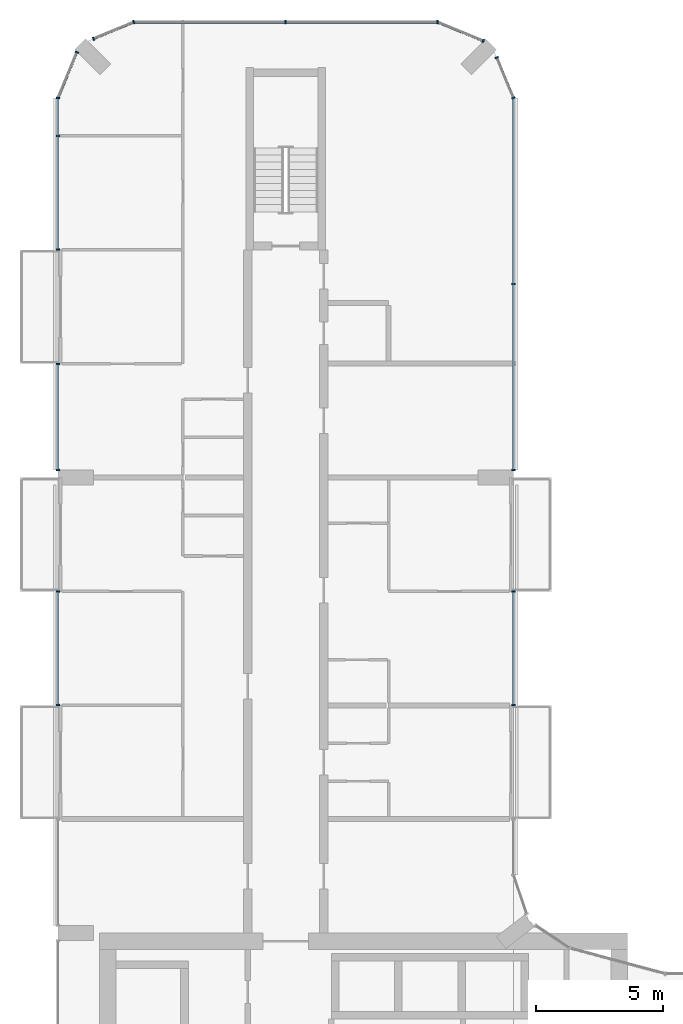
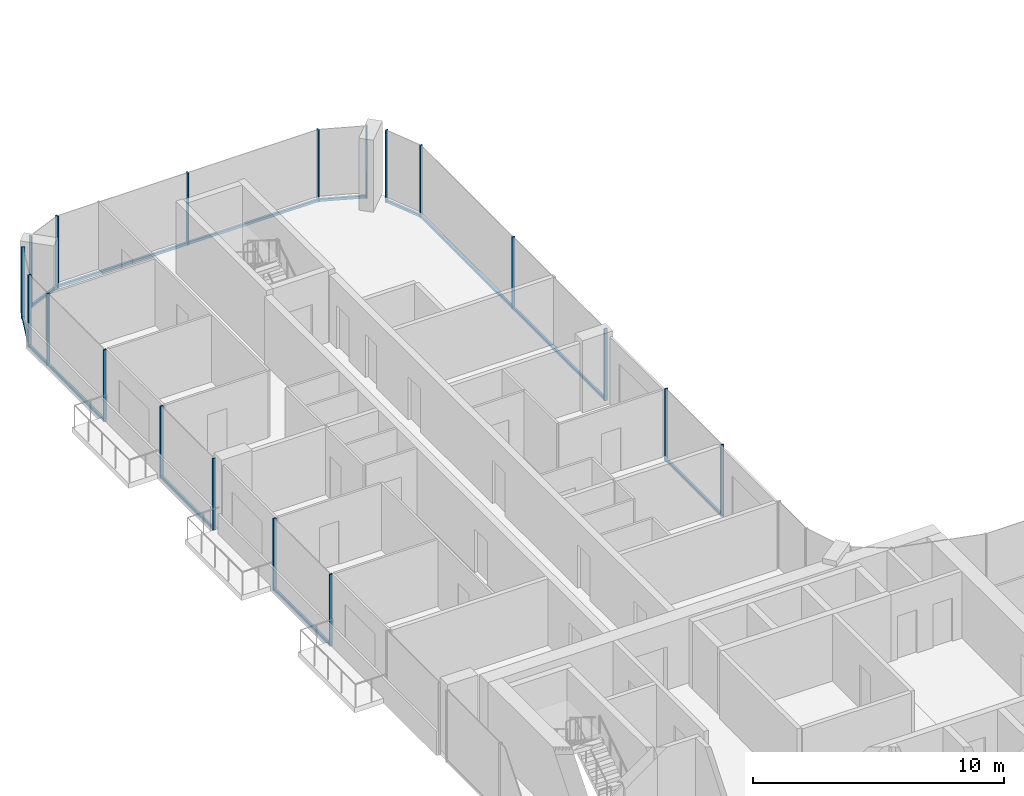
# One storey, part 6 of 22: 29 members, 10 elements without a shape of their own.
"""IFC4 building model written with IfcOpenShell, lengths in metres."""

from ifc_helpers import new_model, si_unit, direction, frame, origin, origin_2d, place, context, subcontext, project, spatial, rectangle, extrude, material, layer, layer_set, material_profile, profile_set, type_object, element, aggregate, save


model = new_model("IFC4")

# Units and contexts
model_context = context("Model", 3, precision=1e-05, world=origin(), true_north=direction((0.0, 1.0)))
body_context = subcontext(model_context, "Body", "Model", "MODEL_VIEW")
ifc_project = project(units=[si_unit("LENGTHUNIT", "METRE"), si_unit("AREAUNIT", "SQUARE_METRE"), si_unit("VOLUMEUNIT", "CUBIC_METRE"), si_unit("PLANEANGLEUNIT", "RADIAN"), si_unit("MASSUNIT", "GRAM", prefix="KILO")], contexts=[model_context])

# Site, building, storey
site_placement = place(None, origin())
site = spatial("IfcSite", under=ifc_project, at=site_placement, CompositionType="ELEMENT")
building_placement = place(site_placement, origin())
building = spatial("IfcBuilding", under=site, at=building_placement, Name="Plateau Cross Towers", CompositionType="ELEMENT")
storey_placement = place(building_placement, frame((0.0, 0.0, 116.800048828125)))
storey = spatial("IfcBuildingStorey", under=building, at=storey_placement, Name="L30", CompositionType="ELEMENT", Elevation=116.800048828125)

# Curtain wall, members
ifc_material_1 = material(Name="Dark low-iron glass", Category="glass")
ifc_layer = layer(ifc_material_1, 0.239990234375)
ifc_layer_set = layer_set([ifc_layer], Name="Dark low-iron glass")
curtain_wall_type = type_object("IfcCurtainWallType", Name="Curtain wall flush unitised CW-B", PredefinedType="NOTDEFINED", material=ifc_layer_set)
curtain_wall_1_placement = place(storey_placement, origin())
curtain_wall_1 = element("IfcCurtainWall", 1, at=curtain_wall_1_placement, inside=storey, type_object=curtain_wall_type, Name="ENV/A/L30/A180_270", PredefinedType="NOTDEFINED")
ifc_material_2 = material(Name="Black anodised aluminium", Category="aluminium")
ifc_material_profile_1 = material_profile(ifc_material_2, rectangle(XDim=0.06005859375, YDim=0.139892578125, at=origin_2d()), Name="MULLION 60x140")
ifc_profile_set_1 = profile_set([ifc_material_profile_1], Name="Black anodised aluminium")
member_type_1 = type_object("IfcMemberType", Name="Mullion 60x140 flush unitised", PredefinedType="MULLION", material=ifc_profile_set_1)
member_1_placement = place(storey_placement, frame((18.0, 27.010009765625, -0.25), z_axis=(0.0, 0.0, 1.0), x_axis=(0.0, 1.0, 0.0)))
member_1 = element("IfcMember", 2, at=member_1_placement, type_object=member_type_1, Name="CW-B mullion 1", PredefinedType="MULLION", context=body_context, shape_type="SweptSolid", body=[
    extrude(rectangle(XDim=0.06005859375, YDim=0.139892578125, at=origin_2d()), origin(), (0.0, 0.0, 1.0), 3.5),
])
member_2_placement = place(storey_placement, frame((18.0, 31.489990234375, -0.25), z_axis=(0.0, 0.0, 1.0), x_axis=(0.0, 1.0, 0.0)))
member_2 = element("IfcMember", 3, at=member_2_placement, type_object=member_type_1, Name="CW-B mullion 2", PredefinedType="MULLION", context=body_context, shape_type="SweptSolid", body=[
    extrude(rectangle(XDim=0.06005859375, YDim=0.139892578125, at=origin_2d()), origin(), (0.0, 0.0, 1.0), 3.5),
])

curtain_wall_2_placement = place(storey_placement, origin())
curtain_wall_2 = element("IfcCurtainWall", 4, at=curtain_wall_2_placement, inside=storey, type_object=curtain_wall_type, Name="ENV/A/L30/A180_363", PredefinedType="NOTDEFINED")
member_3_placement = place(storey_placement, frame((18.0, 36.300048828125, -0.25), z_axis=(0.0, 0.0, 1.0), x_axis=(0.0, 1.0, 0.0)))
member_3 = element("IfcMember", 5, at=member_3_placement, type_object=member_type_1, Name="CW-B mullion 1", PredefinedType="MULLION", context=body_context, shape_type="SweptSolid", body=[
    extrude(rectangle(XDim=0.06005859375, YDim=0.139892578125, at=origin_2d()), origin(), (0.0, 0.0, 1.0), 3.5),
])
member_4_placement = place(storey_placement, frame((18.0, 43.64990234375, -0.25), z_axis=(0.0, 0.0, 1.0), x_axis=(0.0, 1.0, 0.0)))
member_4 = element("IfcMember", 6, at=member_4_placement, type_object=member_type_1, Name="CW-B mullion 2", PredefinedType="MULLION", context=body_context, shape_type="SweptSolid", body=[
    extrude(rectangle(XDim=0.06005859375, YDim=0.139892578125, at=origin_2d()), origin(), (0.0, 0.0, 1.0), 3.5),
])

curtain_wall_3_placement = place(storey_placement, origin())
curtain_wall_3 = element("IfcCurtainWall", 7, at=curtain_wall_3_placement, inside=storey, type_object=curtain_wall_type, Name="ENV/A/L30/A180_510", PredefinedType="NOTDEFINED")
member_5_placement = place(storey_placement, frame((18.0, 51.0, -0.25), z_axis=(0.0, 0.0, 1.0), x_axis=(-0.382683612978, 0.923879457699, 0.0)))
member_5 = element("IfcMember", 8, at=member_5_placement, type_object=member_type_1, Name="CW-B mullion 1", PredefinedType="MULLION", context=body_context, shape_type="SweptSolid", body=[
    extrude(rectangle(XDim=0.06005859375, YDim=0.139892578125, at=origin_2d()), origin(), (0.0, 0.0, 1.0), 3.5),
])
member_6_placement = place(storey_placement, frame((17.338623046875, 52.5966796875, -0.25), z_axis=(0.0, 0.0, 1.0), x_axis=(-0.382683612978, 0.923879457699, 0.0)))
member_6 = element("IfcMember", 9, at=member_6_placement, type_object=member_type_1, Name="CW-B mullion 2", PredefinedType="MULLION", context=body_context, shape_type="SweptSolid", body=[
    extrude(rectangle(XDim=0.06005859375, YDim=0.139892578125, at=origin_2d()), origin(), (0.0, 0.0, 1.0), 3.5),
])

# Curtain wall, member
curtain_wall_4_placement = place(storey_placement, origin())
curtain_wall_4 = element("IfcCurtainWall", 10, at=curtain_wall_4_placement, inside=storey, type_object=curtain_wall_type, Name="ENV/A/L30/A168_533", PredefinedType="NOTDEFINED")
member_7_placement = place(storey_placement, frame((16.805908203125, 53.251953125, -0.25), z_axis=(0.0, 0.0, 1.0), x_axis=(-0.923879457699, 0.382683612978, 0.0)))
member_7 = element("IfcMember", 11, at=member_7_placement, type_object=member_type_1, Name="CW-B mullion 1", PredefinedType="MULLION", context=body_context, shape_type="SweptSolid", body=[
    extrude(rectangle(XDim=0.06005859375, YDim=0.139892578125, at=origin_2d()), origin(), (0.0, 0.0, 1.0), 3.5),
])

# Curtain wall, members
curtain_wall_5_placement = place(storey_placement, origin())
curtain_wall_5 = element("IfcCurtainWall", 12, at=curtain_wall_5_placement, inside=storey, type_object=curtain_wall_type, Name="ENV/A/L30/A150_540", PredefinedType="NOTDEFINED")
member_8_placement = place(storey_placement, frame((15.0, 54.0, -0.25), z_axis=(0.0, 0.0, 1.0), x_axis=(-1.0, 0.0, 0.0)))
member_8 = element("IfcMember", 13, at=member_8_placement, type_object=member_type_1, Name="CW-B mullion 1", PredefinedType="MULLION", context=body_context, shape_type="SweptSolid", body=[
    extrude(rectangle(XDim=0.06005859375, YDim=0.139892578125, at=origin_2d()), origin(), (0.0, 0.0, 1.0), 3.5),
])
member_9_placement = place(storey_placement, frame((9.0, 54.0, -0.25), z_axis=(0.0, 0.0, 1.0), x_axis=(-1.0, 0.0, 0.0)))
member_9 = element("IfcMember", 14, at=member_9_placement, type_object=member_type_1, Name="CW-B mullion 2", PredefinedType="MULLION", context=body_context, shape_type="SweptSolid", body=[
    extrude(rectangle(XDim=0.06005859375, YDim=0.139892578125, at=origin_2d()), origin(), (0.0, 0.0, 1.0), 3.5),
])

curtain_wall_6_placement = place(storey_placement, origin())
curtain_wall_6 = element("IfcCurtainWall", 15, at=curtain_wall_6_placement, inside=storey, type_object=curtain_wall_type, Name="ENV/A/L30/A30_540", PredefinedType="NOTDEFINED")
member_10_placement = place(storey_placement, frame((3.0, 54.0, -0.25), z_axis=(0.0, 0.0, 1.0), x_axis=(-0.923879457699, -0.382683612978, 0.0)))
member_10 = element("IfcMember", 16, at=member_10_placement, type_object=member_type_1, Name="CW-B mullion 1", PredefinedType="MULLION", context=body_context, shape_type="SweptSolid", body=[
    extrude(rectangle(XDim=0.06005859375, YDim=0.139892578125, at=origin_2d()), origin(), (0.0, 0.0, 1.0), 3.5),
])
member_11_placement = place(storey_placement, frame((1.4033203125, 53.338623046875, -0.25), z_axis=(0.0, 0.0, 1.0), x_axis=(-0.923879457699, -0.382683612978, 0.0)))
member_11 = element("IfcMember", 17, at=member_11_placement, type_object=member_type_1, Name="CW-B mullion 2", PredefinedType="MULLION", context=body_context, shape_type="SweptSolid", body=[
    extrude(rectangle(XDim=0.06005859375, YDim=0.139892578125, at=origin_2d()), origin(), (0.0, 0.0, 1.0), 3.5),
])

# Curtain wall, member
curtain_wall_7_placement = place(storey_placement, origin())
curtain_wall_7 = element("IfcCurtainWall", 18, at=curtain_wall_7_placement, inside=storey, type_object=curtain_wall_type, Name="ENV/A/L30/A7_528", PredefinedType="NOTDEFINED")
member_12_placement = place(storey_placement, frame((0.748046875, 52.805908203125, -0.25), z_axis=(0.0, 0.0, 1.0), x_axis=(-0.382683612978, -0.923879457699, 0.0)))
member_12 = element("IfcMember", 19, at=member_12_placement, type_object=member_type_1, Name="CW-B mullion 1", PredefinedType="MULLION", context=body_context, shape_type="SweptSolid", body=[
    extrude(rectangle(XDim=0.06005859375, YDim=0.139892578125, at=origin_2d()), origin(), (0.0, 0.0, 1.0), 3.5),
])

# Curtain wall, members
curtain_wall_8_placement = place(storey_placement, origin())
curtain_wall_8 = element("IfcCurtainWall", 20, at=curtain_wall_8_placement, inside=storey, type_object=curtain_wall_type, Name="ENV/A/L30/A0_510", PredefinedType="NOTDEFINED")
member_13_placement = place(storey_placement, frame((0.0, 51.0, -0.25), z_axis=(0.0, 0.0, 1.0), x_axis=(0.0, -1.0, 0.0)))
member_13 = element("IfcMember", 21, at=member_13_placement, type_object=member_type_1, Name="CW-B mullion 1", PredefinedType="MULLION", context=body_context, shape_type="SweptSolid", body=[
    extrude(rectangle(XDim=0.06005859375, YDim=0.139892578125, at=origin_2d()), origin(), (0.0, 0.0, 1.0), 3.5),
])
member_14_placement = place(storey_placement, frame((0.0, 49.5, -0.25), z_axis=(0.0, 0.0, 1.0), x_axis=(0.0, -1.0, 0.0)))
member_14 = element("IfcMember", 22, at=member_14_placement, type_object=member_type_1, Name="CW-B mullion 2", PredefinedType="MULLION", context=body_context, shape_type="SweptSolid", body=[
    extrude(rectangle(XDim=0.06005859375, YDim=0.139892578125, at=origin_2d()), origin(), (0.0, 0.0, 1.0), 3.5),
])
member_15_placement = place(storey_placement, frame((0.0, 45.010009765625, -0.25), z_axis=(0.0, 0.0, 1.0), x_axis=(0.0, -1.0, 0.0)))
member_15 = element("IfcMember", 23, at=member_15_placement, type_object=member_type_1, Name="CW-B mullion 3", PredefinedType="MULLION", context=body_context, shape_type="SweptSolid", body=[
    extrude(rectangle(XDim=0.06005859375, YDim=0.139892578125, at=origin_2d()), origin(), (0.0, 0.0, 1.0), 3.5),
])

curtain_wall_9_placement = place(storey_placement, origin())
curtain_wall_9 = element("IfcCurtainWall", 24, at=curtain_wall_9_placement, inside=storey, type_object=curtain_wall_type, Name="ENV/A/L30/A0_405", PredefinedType="NOTDEFINED")
member_16_placement = place(storey_placement, frame((0.0, 40.489990234375, -0.25), z_axis=(0.0, 0.0, 1.0), x_axis=(0.0, -1.0, 0.0)))
member_16 = element("IfcMember", 25, at=member_16_placement, type_object=member_type_1, Name="CW-B mullion 1", PredefinedType="MULLION", context=body_context, shape_type="SweptSolid", body=[
    extrude(rectangle(XDim=0.06005859375, YDim=0.139892578125, at=origin_2d()), origin(), (0.0, 0.0, 1.0), 3.5),
])
member_17_placement = place(storey_placement, frame((0.0, 36.300048828125, -0.25), z_axis=(0.0, 0.0, 1.0), x_axis=(0.0, -1.0, 0.0)))
member_17 = element("IfcMember", 26, at=member_17_placement, type_object=member_type_1, Name="CW-B mullion 2", PredefinedType="MULLION", context=body_context, shape_type="SweptSolid", body=[
    extrude(rectangle(XDim=0.06005859375, YDim=0.139892578125, at=origin_2d()), origin(), (0.0, 0.0, 1.0), 3.5),
])

curtain_wall_10_placement = place(storey_placement, origin())
curtain_wall_10 = element("IfcCurtainWall", 27, at=curtain_wall_10_placement, inside=storey, type_object=curtain_wall_type, Name="ENV/A/L30/A0_315", PredefinedType="NOTDEFINED")
member_18_placement = place(storey_placement, frame((0.0, 31.489990234375, -0.25), z_axis=(0.0, 0.0, 1.0), x_axis=(0.0, -1.0, 0.0)))
member_18 = element("IfcMember", 28, at=member_18_placement, type_object=member_type_1, Name="CW-B mullion 1", PredefinedType="MULLION", context=body_context, shape_type="SweptSolid", body=[
    extrude(rectangle(XDim=0.06005859375, YDim=0.139892578125, at=origin_2d()), origin(), (0.0, 0.0, 1.0), 3.5),
])
member_19_placement = place(storey_placement, frame((0.0, 27.010009765625, -0.25), z_axis=(0.0, 0.0, 1.0), x_axis=(0.0, -1.0, 0.0)))
member_19 = element("IfcMember", 29, at=member_19_placement, type_object=member_type_1, Name="CW-B mullion 2", PredefinedType="MULLION", context=body_context, shape_type="SweptSolid", body=[
    extrude(rectangle(XDim=0.06005859375, YDim=0.139892578125, at=origin_2d()), origin(), (0.0, 0.0, 1.0), 3.5),
])

# Member
ifc_material_profile_2 = material_profile(ifc_material_2, rectangle(XDim=0.10009765625, YDim=0.1201171875, at=origin_2d()), Name="TRANSOM 100x120")
ifc_profile_set_2 = profile_set([ifc_material_profile_2], Name="Black anodised aluminium")
member_type_2 = type_object("IfcMemberType", Name="Transom 100x120 flush unitised", PredefinedType="USERDEFINED", material=ifc_profile_set_2)
member_20_placement = place(storey_placement, frame((18.0, 27.010009765625, -0.18994140625), z_axis=(0.0, 1.0, 0.0), x_axis=(-1.0, 0.0, 0.0)))
member_20 = element("IfcMember", 30, at=member_20_placement, type_object=member_type_2, Name="CW-B transom", ObjectType="TRANSOM", PredefinedType="USERDEFINED", context=body_context, shape_type="SweptSolid", body=[
    extrude(rectangle(XDim=0.10009765625, YDim=0.1201171875, at=origin_2d()), origin(), (0.0, 0.0, 1.0), 4.47998046875),
])

aggregate(curtain_wall_1, [member_1, member_2, member_20])

member_21_placement = place(storey_placement, frame((18.0, 36.300048828125, -0.18994140625), z_axis=(0.0, 1.0, 0.0), x_axis=(-1.0, 0.0, 0.0)))
member_21 = element("IfcMember", 31, at=member_21_placement, type_object=member_type_2, Name="CW-B transom", ObjectType="TRANSOM", PredefinedType="USERDEFINED", context=body_context, shape_type="SweptSolid", body=[
    extrude(rectangle(XDim=0.10009765625, YDim=0.1201171875, at=origin_2d()), origin(), (0.0, 0.0, 1.0), 14.699951171875),
])

aggregate(curtain_wall_2, [member_3, member_4, member_21])

member_22_placement = place(storey_placement, frame((18.0, 51.0, -0.18994140625), z_axis=(-0.382688653628, 0.923877369776, 0.0), x_axis=(-0.923877369776, -0.382688653628, 0.0)))
member_22 = element("IfcMember", 32, at=member_22_placement, type_object=member_type_2, Name="CW-B transom", ObjectType="TRANSOM", PredefinedType="USERDEFINED", context=body_context, shape_type="SweptSolid", body=[
    extrude(rectangle(XDim=0.10009765625, YDim=0.1201171875, at=origin_2d()), origin(), (0.0, 0.0, 1.0), 1.728271484375),
])

aggregate(curtain_wall_3, [member_5, member_6, member_22])

member_23_placement = place(storey_placement, frame((16.805908203125, 53.251953125, -0.18994140625), z_axis=(-0.92387678234, 0.382690071798, 0.0), x_axis=(-0.382690071798, -0.92387678234, 0.0)))
member_23 = element("IfcMember", 33, at=member_23_placement, type_object=member_type_2, Name="CW-B transom", ObjectType="TRANSOM", PredefinedType="USERDEFINED", context=body_context, shape_type="SweptSolid", body=[
    extrude(rectangle(XDim=0.10009765625, YDim=0.1201171875, at=origin_2d()), origin(), (0.0, 0.0, 1.0), 1.95458984375),
])

aggregate(curtain_wall_4, [member_7, member_23])

member_24_placement = place(storey_placement, frame((15.0, 54.0, -0.18994140625), z_axis=(-1.0, 0.0, 0.0), x_axis=(0.0, -1.0, 0.0)))
member_24 = element("IfcMember", 34, at=member_24_placement, type_object=member_type_2, Name="CW-B transom", ObjectType="TRANSOM", PredefinedType="USERDEFINED", context=body_context, shape_type="SweptSolid", body=[
    extrude(rectangle(XDim=0.10009765625, YDim=0.1201171875, at=origin_2d()), origin(), (0.0, 0.0, 1.0), 12.0),
])

aggregate(curtain_wall_5, [member_8, member_9, member_24])

member_25_placement = place(storey_placement, frame((3.0, 54.0, -0.18994140625), z_axis=(-0.923877369776, -0.382688653628, 0.0), x_axis=(0.382688653628, -0.923877369776, 0.0)))
member_25 = element("IfcMember", 35, at=member_25_placement, type_object=member_type_2, Name="CW-B transom", ObjectType="TRANSOM", PredefinedType="USERDEFINED", context=body_context, shape_type="SweptSolid", body=[
    extrude(rectangle(XDim=0.10009765625, YDim=0.1201171875, at=origin_2d()), origin(), (0.0, 0.0, 1.0), 1.728271484375),
])

aggregate(curtain_wall_6, [member_10, member_11, member_25])

member_26_placement = place(storey_placement, frame((0.748046875, 52.805908203125, -0.18994140625), z_axis=(-0.382690071798, -0.92387678234, 0.0), x_axis=(0.92387678234, -0.382690071798, 0.0)))
member_26 = element("IfcMember", 36, at=member_26_placement, type_object=member_type_2, Name="CW-B transom", ObjectType="TRANSOM", PredefinedType="USERDEFINED", context=body_context, shape_type="SweptSolid", body=[
    extrude(rectangle(XDim=0.10009765625, YDim=0.1201171875, at=origin_2d()), origin(), (0.0, 0.0, 1.0), 1.95458984375),
])

aggregate(curtain_wall_7, [member_12, member_26])

member_27_placement = place(storey_placement, frame((0.0, 51.0, -0.18994140625), z_axis=(0.0, -1.0, 0.0), x_axis=(1.0, 0.0, 0.0)))
member_27 = element("IfcMember", 37, at=member_27_placement, type_object=member_type_2, Name="CW-B transom", ObjectType="TRANSOM", PredefinedType="USERDEFINED", context=body_context, shape_type="SweptSolid", body=[
    extrude(rectangle(XDim=0.10009765625, YDim=0.1201171875, at=origin_2d()), origin(), (0.0, 0.0, 1.0), 5.989990234375),
])

aggregate(curtain_wall_8, [member_13, member_14, member_15, member_27])

member_28_placement = place(storey_placement, frame((0.0, 40.489990234375, -0.18994140625), z_axis=(0.0, -1.0, 0.0), x_axis=(1.0, 0.0, 0.0)))
member_28 = element("IfcMember", 38, at=member_28_placement, type_object=member_type_2, Name="CW-B transom", ObjectType="TRANSOM", PredefinedType="USERDEFINED", context=body_context, shape_type="SweptSolid", body=[
    extrude(rectangle(XDim=0.10009765625, YDim=0.1201171875, at=origin_2d()), origin(), (0.0, 0.0, 1.0), 4.18994140625),
])

aggregate(curtain_wall_9, [member_16, member_17, member_28])

member_29_placement = place(storey_placement, frame((0.0, 31.489990234375, -0.18994140625), z_axis=(0.0, -1.0, 0.0), x_axis=(1.0, 0.0, 0.0)))
member_29 = element("IfcMember", 39, at=member_29_placement, type_object=member_type_2, Name="CW-B transom", ObjectType="TRANSOM", PredefinedType="USERDEFINED", context=body_context, shape_type="SweptSolid", body=[
    extrude(rectangle(XDim=0.10009765625, YDim=0.1201171875, at=origin_2d()), origin(), (0.0, 0.0, 1.0), 4.47998046875),
])

aggregate(curtain_wall_10, [member_18, member_19, member_29])

save(model, "model.ifc")
